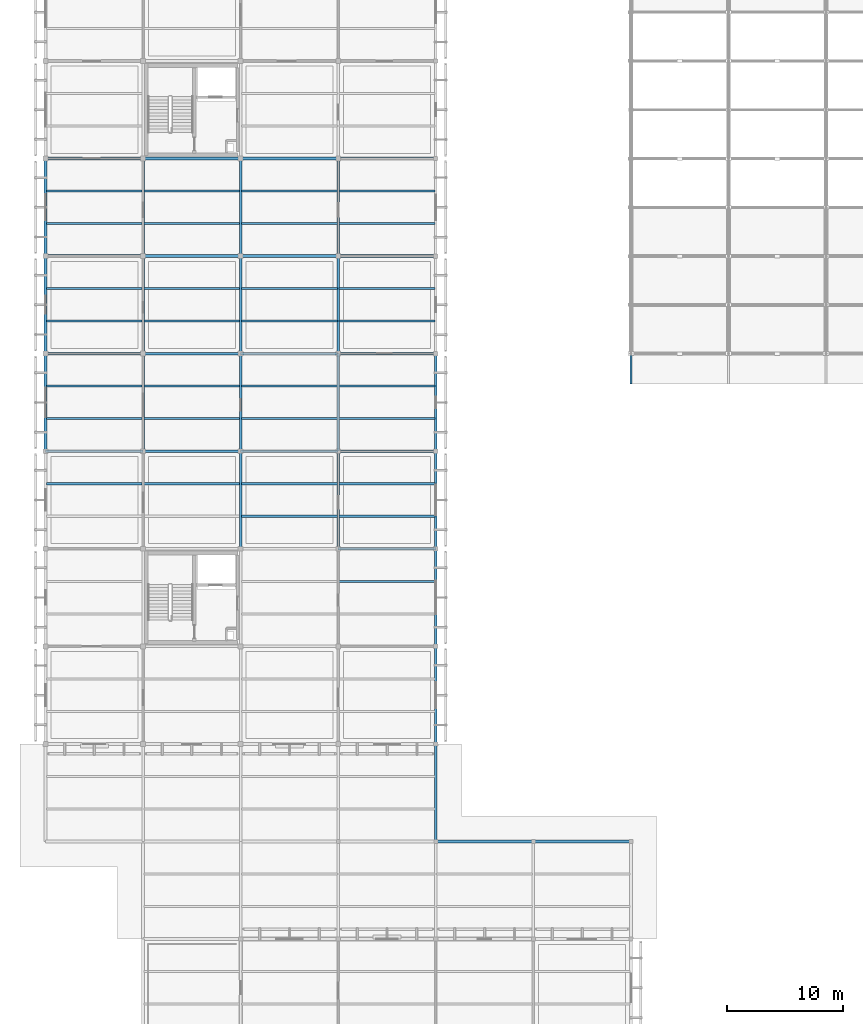
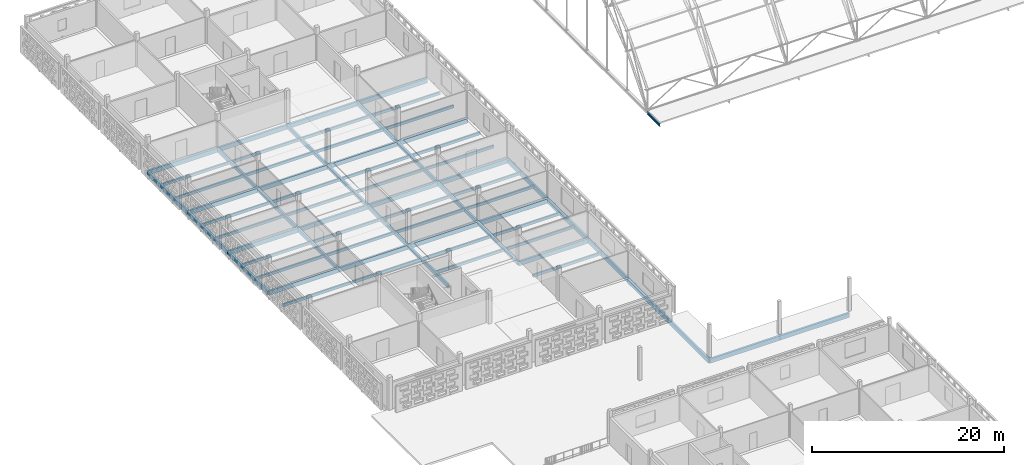
# One storey, part 5 of 103: 70 beams.
"""IFC4 building model written with IfcOpenShell, lengths in metres."""

from ifc_helpers import new_model, si_unit, direction, frame, origin, origin_2d, place, context, subcontext, project, spatial, rectangle, i_section, extrude, material, material_profile, profile_set, type_object, element, save


model = new_model("IFC4")

# Units and contexts
model_context = context("Model", 3, precision=1e-05, world=origin(), true_north=direction((0.0, 1.0)))
body_context = subcontext(model_context, "Body", "Model", "MODEL_VIEW")
ifc_project = project(units=[si_unit("LENGTHUNIT", "METRE"), si_unit("AREAUNIT", "SQUARE_METRE"), si_unit("VOLUMEUNIT", "CUBIC_METRE"), si_unit("PLANEANGLEUNIT", "RADIAN"), si_unit("MASSUNIT", "GRAM", prefix="KILO")], contexts=[model_context])

# Site, building, storey
site_placement = place(None, origin())
site = spatial("IfcSite", under=ifc_project, at=site_placement, CompositionType="ELEMENT")
building_placement = place(site_placement, origin())
building = spatial("IfcBuilding", under=site, at=building_placement, Name="Varnapada Polytechnic", CompositionType="ELEMENT")
storey_placement = place(building_placement, frame((0.0, 0.0, 18.0)))
storey = spatial("IfcBuildingStorey", under=building, at=storey_placement, Name="L04", CompositionType="ELEMENT", Elevation=18.0)

# Beams
ifc_material_1 = material(Name="Steel S355", Category="steel")
ifc_material_profile_1 = material_profile(ifc_material_1, i_section(OverallWidth=0.159912109375, OverallDepth=0.330078125, WebThickness=0.007568359375, FlangeThickness=0.011474609375, FilletRadius=0.01806640625, at=origin_2d()), Name="IPE 330")
ifc_profile_set_1 = profile_set([ifc_material_profile_1], Name="Steel S355")
beam_type_1 = type_object("IfcBeamType", Name="Clerestory monitor steel rafter SB-07 (IPE 330)", PredefinedType="BEAM", material=ifc_profile_set_1)
beam_1_placement = place(storey_placement, frame((50.39990234375, 84.0, -0.35009765625), z_axis=(0.0, -1.0, 0.0), x_axis=(1.0, 0.0, 0.0)))
element("IfcBeam", 1, at=beam_1_placement, inside=storey, type_object=beam_type_1, Name="Workshop eave shade outlooker S.1", PredefinedType="BEAM", context=body_context, shape_type="SweptSolid", body=[
    extrude(i_section(OverallWidth=0.159912109375, OverallDepth=0.330078125, WebThickness=0.007568359375, FlangeThickness=0.011474609375, FilletRadius=0.01806640625, at=origin_2d()), origin(), (0.0, 0.0, 1.0), 2.60009765625),
])
ifc_material_2 = material(Name="Glulam GL32h", Category="wood")
ifc_material_profile_2 = material_profile(ifc_material_2, rectangle(XDim=0.239990234375, YDim=0.56005859375, at=origin_2d()), Name="GL 240x560")
ifc_profile_set_2 = profile_set([ifc_material_profile_2], Name="Glulam GL32h")
beam_type_2 = type_object("IfcBeamType", Name="Perimeter glulam spandrel beam SP-02 (GL 240x560)", PredefinedType="SPANDREL", material=ifc_profile_set_2)
for number, where, z_axis, x_axis, name in (
    (2, (33.60009765625, 42.0, -0.550048828125), (1.0, 0.0, 0.0), (0.0, 1.0, 0.0), "L04 beam X 5-6 at Y6"),
    (3, (42.0, 42.0, -0.550048828125), (1.0, 0.0, 0.0), (0.0, 1.0, 0.0), "L04 beam X 6-7 at Y6"),
    (4, (0.0, 75.60009765625, -0.5), (0.0, 1.0, 0.0), (-1.0, 0.0, 0.0), "L04 beam Y 10-11 at X1"),
    (5, (0.0, 84.0, -0.5), (0.0, 1.0, 0.0), (-1.0, 0.0, 0.0), "L04 beam Y 11-12 at X1"),
):
    element("IfcBeam", number, at=place(storey_placement, frame(where, z_axis=z_axis, x_axis=x_axis)), inside=storey, type_object=beam_type_2, Name=name, PredefinedType="SPANDREL", context=body_context, shape_type="SweptSolid", body=[
        extrude(rectangle(XDim=0.239990234375, YDim=0.56005859375, at=origin_2d()), origin(), (0.0, 0.0, 1.0), 8.39990234375),
    ])
beam_2_placement = place(storey_placement, frame((0.0, 92.39990234375, -0.5), z_axis=(0.0, 1.0, 0.0), x_axis=(-1.0, 0.0, 0.0)))
element("IfcBeam", 6, at=beam_2_placement, inside=storey, type_object=beam_type_2, Name="L04 beam Y 12-13 at X1", PredefinedType="SPANDREL", context=body_context, shape_type="SweptSolid", body=[
    extrude(rectangle(XDim=0.239990234375, YDim=0.56005859375, at=origin_2d()), origin(), (0.0, 0.0, 1.0), 8.400146484375),
])
beam_3_placement = place(storey_placement, frame((33.60009765625, 42.0, -0.550048828125), z_axis=(0.0, 1.0, 0.0), x_axis=(-1.0, 0.0, 0.0)))
element("IfcBeam", 7, at=beam_3_placement, inside=storey, type_object=beam_type_2, Name="L04 beam Y 6-7 at X5", PredefinedType="SPANDREL", context=body_context, shape_type="SweptSolid", body=[
    extrude(rectangle(XDim=0.239990234375, YDim=0.56005859375, at=origin_2d()), origin(), (0.0, 0.0, 1.0), 8.39990234375),
])
beam_4_placement = place(storey_placement, frame((33.60009765625, 50.39990234375, -0.550048828125), z_axis=(0.0, 1.0, 0.0), x_axis=(-1.0, 0.0, 0.0)))
element("IfcBeam", 8, at=beam_4_placement, inside=storey, type_object=beam_type_2, Name="L04 beam Y 7-8 at X5", PredefinedType="SPANDREL", context=body_context, shape_type="SweptSolid", body=[
    extrude(rectangle(XDim=0.239990234375, YDim=0.56005859375, at=origin_2d()), origin(), (0.0, 0.0, 1.0), 8.400146484375),
])
beam_5_placement = place(storey_placement, frame((33.60009765625, 58.800048828125, -0.5), z_axis=(0.0, 1.0, 0.0), x_axis=(-1.0, 0.0, 0.0)))
element("IfcBeam", 9, at=beam_5_placement, inside=storey, type_object=beam_type_2, Name="L04 beam Y 8-9 at X5", PredefinedType="SPANDREL", context=body_context, shape_type="SweptSolid", body=[
    extrude(rectangle(XDim=0.239990234375, YDim=0.56005859375, at=origin_2d()), origin(), (0.0, 0.0, 1.0), 8.39990234375),
])
beam_6_placement = place(storey_placement, frame((33.60009765625, 67.199951171875, -0.5), z_axis=(0.0, 1.0, 0.0), x_axis=(-1.0, 0.0, 0.0)))
element("IfcBeam", 10, at=beam_6_placement, inside=storey, type_object=beam_type_2, Name="L04 beam Y 9-10 at X5", PredefinedType="SPANDREL", context=body_context, shape_type="SweptSolid", body=[
    extrude(rectangle(XDim=0.239990234375, YDim=0.56005859375, at=origin_2d()), origin(), (0.0, 0.0, 1.0), 8.400146484375),
])
beam_7_placement = place(storey_placement, frame((33.60009765625, 75.60009765625, -0.5), z_axis=(0.0, 1.0, 0.0), x_axis=(-1.0, 0.0, 0.0)))
element("IfcBeam", 11, at=beam_7_placement, inside=storey, type_object=beam_type_2, Name="L04 beam Y 10-11 at X5", PredefinedType="SPANDREL", context=body_context, shape_type="SweptSolid", body=[
    extrude(rectangle(XDim=0.239990234375, YDim=0.56005859375, at=origin_2d()), origin(), (0.0, 0.0, 1.0), 8.39990234375),
])
ifc_material_profile_3 = material_profile(ifc_material_2, rectangle(XDim=0.239990234375, YDim=0.56005859375, at=origin_2d()), Name="GL 240x560")
ifc_profile_set_3 = profile_set([ifc_material_profile_3], Name="Glulam GL32h")
beam_type_3 = type_object("IfcBeamType", Name="Studio primary glulam girder GG-03 (GL 240x560)", PredefinedType="BEAM", material=ifc_profile_set_3)
for number, where, z_axis, x_axis, name in (
    (12, (0.0, 75.60009765625, -0.5), (1.0, 0.0, 0.0), (0.0, 1.0, 0.0), "L04 beam X 1-2 at Y10"),
    (13, (0.0, 84.0, -0.5), (1.0, 0.0, 0.0), (0.0, 1.0, 0.0), "L04 beam X 1-2 at Y11"),
    (14, (0.0, 92.39990234375, -0.5), (1.0, 0.0, 0.0), (0.0, 1.0, 0.0), "L04 beam X 1-2 at Y12"),
    (15, (0.0, 100.800048828125, -0.5), (1.0, 0.0, 0.0), (0.0, 1.0, 0.0), "L04 beam X 1-2 at Y13"),
):
    element("IfcBeam", number, at=place(storey_placement, frame(where, z_axis=z_axis, x_axis=x_axis)), inside=storey, type_object=beam_type_3, Name=name, PredefinedType="BEAM", context=body_context, shape_type="SweptSolid", body=[
        extrude(rectangle(XDim=0.239990234375, YDim=0.56005859375, at=origin_2d()), origin(), (0.0, 0.0, 1.0), 8.39990234375),
    ])
for number, where, z_axis, x_axis, name in (
    (16, (8.39990234375, 75.60009765625, -0.5), (1.0, 0.0, 0.0), (0.0, 1.0, 0.0), "L04 beam X 2-3 at Y10"),
    (17, (8.39990234375, 84.0, -0.5), (1.0, 0.0, 0.0), (0.0, 1.0, 0.0), "L04 beam X 2-3 at Y11"),
    (18, (8.39990234375, 92.39990234375, -0.5), (1.0, 0.0, 0.0), (0.0, 1.0, 0.0), "L04 beam X 2-3 at Y12"),
    (19, (8.39990234375, 100.800048828125, -0.5), (1.0, 0.0, 0.0), (0.0, 1.0, 0.0), "L04 beam X 2-3 at Y13"),
):
    element("IfcBeam", number, at=place(storey_placement, frame(where, z_axis=z_axis, x_axis=x_axis)), inside=storey, type_object=beam_type_3, Name=name, PredefinedType="BEAM", context=body_context, shape_type="SweptSolid", body=[
        extrude(rectangle(XDim=0.239990234375, YDim=0.56005859375, at=origin_2d()), origin(), (0.0, 0.0, 1.0), 8.400146484375),
    ])
for number, where, z_axis, x_axis, name in (
    (20, (16.800048828125, 75.60009765625, -0.5), (1.0, 0.0, 0.0), (0.0, 1.0, 0.0), "L04 beam X 3-4 at Y10"),
    (21, (16.800048828125, 84.0, -0.5), (1.0, 0.0, 0.0), (0.0, 1.0, 0.0), "L04 beam X 3-4 at Y11"),
    (22, (16.800048828125, 92.39990234375, -0.5), (1.0, 0.0, 0.0), (0.0, 1.0, 0.0), "L04 beam X 3-4 at Y12"),
    (23, (16.800048828125, 100.800048828125, -0.5), (1.0, 0.0, 0.0), (0.0, 1.0, 0.0), "L04 beam X 3-4 at Y13"),
):
    element("IfcBeam", number, at=place(storey_placement, frame(where, z_axis=z_axis, x_axis=x_axis)), inside=storey, type_object=beam_type_3, Name=name, PredefinedType="BEAM", context=body_context, shape_type="SweptSolid", body=[
        extrude(rectangle(XDim=0.239990234375, YDim=0.56005859375, at=origin_2d()), origin(), (0.0, 0.0, 1.0), 8.39990234375),
    ])
for number, where, z_axis, x_axis, name in (
    (24, (25.199951171875, 67.199951171875, -0.5), (1.0, 0.0, 0.0), (0.0, 1.0, 0.0), "L04 beam X 4-5 at Y9"),
    (25, (25.199951171875, 75.60009765625, -0.5), (1.0, 0.0, 0.0), (0.0, 1.0, 0.0), "L04 beam X 4-5 at Y10"),
    (26, (25.199951171875, 84.0, -0.5), (1.0, 0.0, 0.0), (0.0, 1.0, 0.0), "L04 beam X 4-5 at Y11"),
    (27, (25.199951171875, 92.39990234375, -0.5), (1.0, 0.0, 0.0), (0.0, 1.0, 0.0), "L04 beam X 4-5 at Y12"),
    (28, (25.199951171875, 100.800048828125, -0.5), (1.0, 0.0, 0.0), (0.0, 1.0, 0.0), "L04 beam X 4-5 at Y13"),
):
    element("IfcBeam", number, at=place(storey_placement, frame(where, z_axis=z_axis, x_axis=x_axis)), inside=storey, type_object=beam_type_3, Name=name, PredefinedType="BEAM", context=body_context, shape_type="SweptSolid", body=[
        extrude(rectangle(XDim=0.239990234375, YDim=0.56005859375, at=origin_2d()), origin(), (0.0, 0.0, 1.0), 8.400146484375),
    ])
ifc_material_profile_4 = material_profile(ifc_material_2, rectangle(XDim=0.179931640625, YDim=0.360107421875, at=origin_2d()), Name="GL 180x360")
ifc_profile_set_4 = profile_set([ifc_material_profile_4], Name="Glulam GL32h")
beam_type_4 = type_object("IfcBeamType", Name="Studio/seminar glulam floor joist GJ-02 (GL 180x360)", PredefinedType="JOIST", material=ifc_profile_set_4)
for number, where, z_axis, x_axis, name in (
    (29, (0.080078125, 72.800048828125, -0.39990234375), (1.0, 0.0, 0.0), (0.0, 1.0, 0.0), "L04 floor joist 1/9.2"),
    (30, (0.080078125, 78.39990234375, -0.39990234375), (1.0, 0.0, 0.0), (0.0, 1.0, 0.0), "L04 floor joist 1/10.1"),
    (31, (0.080078125, 81.199951171875, -0.39990234375), (1.0, 0.0, 0.0), (0.0, 1.0, 0.0), "L04 floor joist 1/10.2"),
    (32, (0.080078125, 86.800048828125, -0.39990234375), (1.0, 0.0, 0.0), (0.0, 1.0, 0.0), "L04 floor joist 1/11.1"),
    (33, (0.080078125, 89.60009765625, -0.39990234375), (1.0, 0.0, 0.0), (0.0, 1.0, 0.0), "L04 floor joist 1/11.2"),
    (34, (0.080078125, 95.199951171875, -0.39990234375), (1.0, 0.0, 0.0), (0.0, 1.0, 0.0), "L04 floor joist 1/12.1"),
    (35, (0.080078125, 98.0, -0.39990234375), (1.0, 0.0, 0.0), (0.0, 1.0, 0.0), "L04 floor joist 1/12.2"),
    (36, (8.47998046875, 72.800048828125, -0.39990234375), (1.0, 0.0, 0.0), (0.0, 1.0, 0.0), "L04 floor joist 2/9.2"),
    (37, (8.47998046875, 78.39990234375, -0.39990234375), (1.0, 0.0, 0.0), (0.0, 1.0, 0.0), "L04 floor joist 2/10.1"),
    (38, (8.47998046875, 81.199951171875, -0.39990234375), (1.0, 0.0, 0.0), (0.0, 1.0, 0.0), "L04 floor joist 2/10.2"),
    (39, (8.47998046875, 86.800048828125, -0.39990234375), (1.0, 0.0, 0.0), (0.0, 1.0, 0.0), "L04 floor joist 2/11.1"),
    (40, (8.47998046875, 89.60009765625, -0.39990234375), (1.0, 0.0, 0.0), (0.0, 1.0, 0.0), "L04 floor joist 2/11.2"),
    (41, (8.47998046875, 95.199951171875, -0.39990234375), (1.0, 0.0, 0.0), (0.0, 1.0, 0.0), "L04 floor joist 2/12.1"),
    (42, (8.47998046875, 98.0, -0.39990234375), (1.0, 0.0, 0.0), (0.0, 1.0, 0.0), "L04 floor joist 2/12.2"),
):
    element("IfcBeam", number, at=place(storey_placement, frame(where, z_axis=z_axis, x_axis=x_axis)), inside=storey, type_object=beam_type_4, Name=name, PredefinedType="JOIST", context=body_context, shape_type="SweptSolid", body=[
        extrude(rectangle(XDim=0.179931640625, YDim=0.360107421875, at=origin_2d()), origin(), (0.0, 0.0, 1.0), 8.239990234375),
    ])
for number, where, z_axis, x_axis, name in (
    (43, (16.8798828125, 70.0, -0.39990234375), (1.0, 0.0, 0.0), (0.0, 1.0, 0.0), "L04 floor joist 3/9.1"),
    (44, (16.8798828125, 72.800048828125, -0.39990234375), (1.0, 0.0, 0.0), (0.0, 1.0, 0.0), "L04 floor joist 3/9.2"),
    (45, (16.8798828125, 78.39990234375, -0.39990234375), (1.0, 0.0, 0.0), (0.0, 1.0, 0.0), "L04 floor joist 3/10.1"),
    (46, (16.8798828125, 81.199951171875, -0.39990234375), (1.0, 0.0, 0.0), (0.0, 1.0, 0.0), "L04 floor joist 3/10.2"),
    (47, (16.8798828125, 86.800048828125, -0.39990234375), (1.0, 0.0, 0.0), (0.0, 1.0, 0.0), "L04 floor joist 3/11.1"),
    (48, (16.8798828125, 89.60009765625, -0.39990234375), (1.0, 0.0, 0.0), (0.0, 1.0, 0.0), "L04 floor joist 3/11.2"),
    (49, (16.8798828125, 95.199951171875, -0.39990234375), (1.0, 0.0, 0.0), (0.0, 1.0, 0.0), "L04 floor joist 3/12.1"),
    (50, (16.8798828125, 98.0, -0.39990234375), (1.0, 0.0, 0.0), (0.0, 1.0, 0.0), "L04 floor joist 3/12.2"),
):
    element("IfcBeam", number, at=place(storey_placement, frame(where, z_axis=z_axis, x_axis=x_axis)), inside=storey, type_object=beam_type_4, Name=name, PredefinedType="JOIST", context=body_context, shape_type="SweptSolid", body=[
        extrude(rectangle(XDim=0.179931640625, YDim=0.360107421875, at=origin_2d()), origin(), (0.0, 0.0, 1.0), 8.240234375),
    ])
for number, where, z_axis, x_axis, name in (
    (51, (25.280029296875, 64.39990234375, -0.39990234375), (1.0, 0.0, 0.0), (0.0, 1.0, 0.0), "L04 floor joist 4/8.2"),
    (52, (25.280029296875, 70.0, -0.39990234375), (1.0, 0.0, 0.0), (0.0, 1.0, 0.0), "L04 floor joist 4/9.1"),
    (53, (25.280029296875, 72.800048828125, -0.39990234375), (1.0, 0.0, 0.0), (0.0, 1.0, 0.0), "L04 floor joist 4/9.2"),
    (54, (25.280029296875, 78.39990234375, -0.39990234375), (1.0, 0.0, 0.0), (0.0, 1.0, 0.0), "L04 floor joist 4/10.1"),
    (55, (25.280029296875, 81.199951171875, -0.39990234375), (1.0, 0.0, 0.0), (0.0, 1.0, 0.0), "L04 floor joist 4/10.2"),
    (56, (25.280029296875, 86.800048828125, -0.39990234375), (1.0, 0.0, 0.0), (0.0, 1.0, 0.0), "L04 floor joist 4/11.1"),
    (57, (25.280029296875, 89.60009765625, -0.39990234375), (1.0, 0.0, 0.0), (0.0, 1.0, 0.0), "L04 floor joist 4/11.2"),
    (58, (25.280029296875, 95.199951171875, -0.39990234375), (1.0, 0.0, 0.0), (0.0, 1.0, 0.0), "L04 floor joist 4/12.1"),
    (59, (25.280029296875, 98.0, -0.39990234375), (1.0, 0.0, 0.0), (0.0, 1.0, 0.0), "L04 floor joist 4/12.2"),
):
    element("IfcBeam", number, at=place(storey_placement, frame(where, z_axis=z_axis, x_axis=x_axis)), inside=storey, type_object=beam_type_4, Name=name, PredefinedType="JOIST", context=body_context, shape_type="SweptSolid", body=[
        extrude(rectangle(XDim=0.179931640625, YDim=0.360107421875, at=origin_2d()), origin(), (0.0, 0.0, 1.0), 8.239990234375),
    ])
ifc_material_profile_5 = material_profile(ifc_material_2, rectangle(XDim=0.219970703125, YDim=0.47998046875, at=origin_2d()), Name="GL 220x480")
ifc_profile_set_5 = profile_set([ifc_material_profile_5], Name="Glulam GL32h")
beam_type_5 = type_object("IfcBeamType", Name="Upper floor glulam tie beam GB-11 (GL 220x480)", PredefinedType="BEAM", material=ifc_profile_set_5)
for number, where, z_axis, x_axis, name in (
    (60, (8.39990234375, 75.60009765625, -0.4599609375), (0.0, 1.0, 0.0), (-1.0, 0.0, 0.0), "L04 beam Y 10-11 at X2"),
    (61, (8.39990234375, 84.0, -0.4599609375), (0.0, 1.0, 0.0), (-1.0, 0.0, 0.0), "L04 beam Y 11-12 at X2"),
):
    element("IfcBeam", number, at=place(storey_placement, frame(where, z_axis=z_axis, x_axis=x_axis)), inside=storey, type_object=beam_type_5, Name=name, PredefinedType="BEAM", context=body_context, shape_type="SweptSolid", body=[
        extrude(rectangle(XDim=0.219970703125, YDim=0.47998046875, at=origin_2d()), origin(), (0.0, 0.0, 1.0), 8.39990234375),
    ])
for number, where, z_axis, x_axis, name in (
    (62, (8.39990234375, 92.39990234375, -0.4599609375), (0.0, 1.0, 0.0), (-1.0, 0.0, 0.0), "L04 beam Y 12-13 at X2"),
    (63, (16.800048828125, 67.199951171875, -0.4599609375), (0.0, 1.0, 0.0), (-1.0, 0.0, 0.0), "L04 beam Y 9-10 at X3"),
):
    element("IfcBeam", number, at=place(storey_placement, frame(where, z_axis=z_axis, x_axis=x_axis)), inside=storey, type_object=beam_type_5, Name=name, PredefinedType="BEAM", context=body_context, shape_type="SweptSolid", body=[
        extrude(rectangle(XDim=0.219970703125, YDim=0.47998046875, at=origin_2d()), origin(), (0.0, 0.0, 1.0), 8.400146484375),
    ])
for number, where, z_axis, x_axis, name in (
    (64, (16.800048828125, 75.60009765625, -0.4599609375), (0.0, 1.0, 0.0), (-1.0, 0.0, 0.0), "L04 beam Y 10-11 at X3"),
    (65, (16.800048828125, 84.0, -0.4599609375), (0.0, 1.0, 0.0), (-1.0, 0.0, 0.0), "L04 beam Y 11-12 at X3"),
):
    element("IfcBeam", number, at=place(storey_placement, frame(where, z_axis=z_axis, x_axis=x_axis)), inside=storey, type_object=beam_type_5, Name=name, PredefinedType="BEAM", context=body_context, shape_type="SweptSolid", body=[
        extrude(rectangle(XDim=0.219970703125, YDim=0.47998046875, at=origin_2d()), origin(), (0.0, 0.0, 1.0), 8.39990234375),
    ])
for number, where, z_axis, x_axis, name in (
    (66, (16.800048828125, 92.39990234375, -0.4599609375), (0.0, 1.0, 0.0), (-1.0, 0.0, 0.0), "L04 beam Y 12-13 at X3"),
    (67, (25.199951171875, 67.199951171875, -0.4599609375), (0.0, 1.0, 0.0), (-1.0, 0.0, 0.0), "L04 beam Y 9-10 at X4"),
):
    element("IfcBeam", number, at=place(storey_placement, frame(where, z_axis=z_axis, x_axis=x_axis)), inside=storey, type_object=beam_type_5, Name=name, PredefinedType="BEAM", context=body_context, shape_type="SweptSolid", body=[
        extrude(rectangle(XDim=0.219970703125, YDim=0.47998046875, at=origin_2d()), origin(), (0.0, 0.0, 1.0), 8.400146484375),
    ])
for number, where, z_axis, x_axis, name in (
    (68, (25.199951171875, 75.60009765625, -0.4599609375), (0.0, 1.0, 0.0), (-1.0, 0.0, 0.0), "L04 beam Y 10-11 at X4"),
    (69, (25.199951171875, 84.0, -0.4599609375), (0.0, 1.0, 0.0), (-1.0, 0.0, 0.0), "L04 beam Y 11-12 at X4"),
):
    element("IfcBeam", number, at=place(storey_placement, frame(where, z_axis=z_axis, x_axis=x_axis)), inside=storey, type_object=beam_type_5, Name=name, PredefinedType="BEAM", context=body_context, shape_type="SweptSolid", body=[
        extrude(rectangle(XDim=0.219970703125, YDim=0.47998046875, at=origin_2d()), origin(), (0.0, 0.0, 1.0), 8.39990234375),
    ])
beam_8_placement = place(storey_placement, frame((25.199951171875, 92.39990234375, -0.4599609375), z_axis=(0.0, 1.0, 0.0), x_axis=(-1.0, 0.0, 0.0)))
element("IfcBeam", 70, at=beam_8_placement, inside=storey, type_object=beam_type_5, Name="L04 beam Y 12-13 at X4", PredefinedType="BEAM", context=body_context, shape_type="SweptSolid", body=[
    extrude(rectangle(XDim=0.219970703125, YDim=0.47998046875, at=origin_2d()), origin(), (0.0, 0.0, 1.0), 8.400146484375),
])

save(model, "model.ifc")
